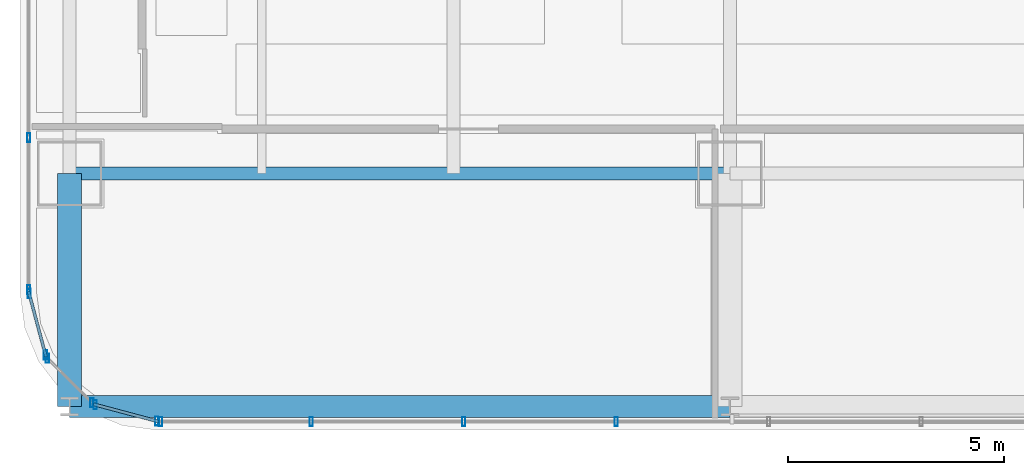
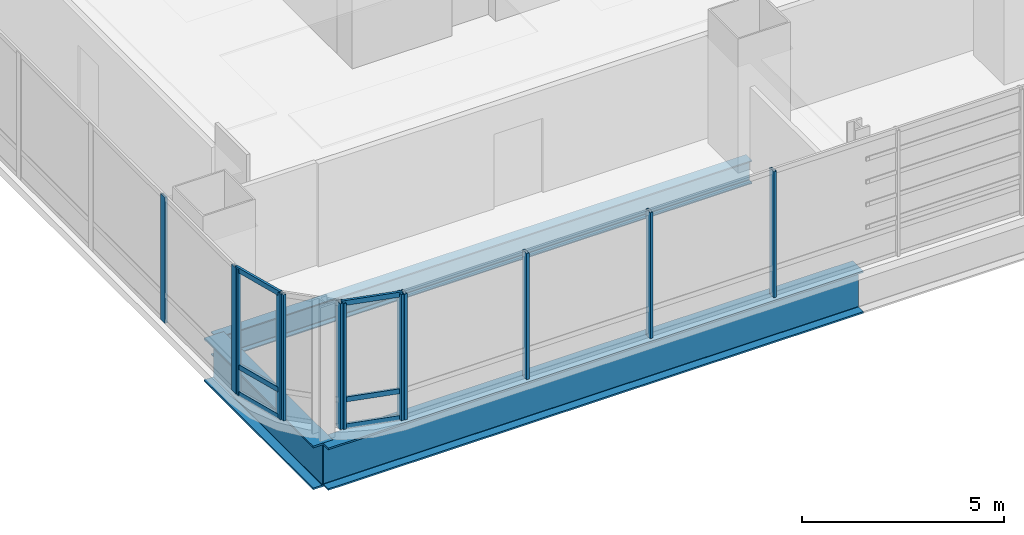
# One storey, part 2 of 35: 18 members, 3 beams, 5 elements without a shape of their own.
"""IFC4 building model written with IfcOpenShell, lengths in metres."""

from ifc_helpers import new_model, si_unit, direction, frame, origin, origin_2d, place, context, subcontext, project, spatial, hollow_rectangle, i_section, extrude, material, material_profile, profile_set, type_object, element, aggregate, save


model = new_model("IFC4")

# Units and contexts
model_context = context("Model", 3, precision=1e-05, world=origin(), true_north=direction((0.0, 1.0)))
body_context = subcontext(model_context, "Body", "Model", "MODEL_VIEW")
ifc_project = project(units=[si_unit("LENGTHUNIT", "METRE"), si_unit("AREAUNIT", "SQUARE_METRE"), si_unit("VOLUMEUNIT", "CUBIC_METRE"), si_unit("PLANEANGLEUNIT", "RADIAN"), si_unit("MASSUNIT", "GRAM", prefix="KILO")], contexts=[model_context])

# Site, building, storey
site_placement = place(None, origin())
site = spatial("IfcSite", under=ifc_project, at=site_placement, CompositionType="ELEMENT")
building_placement = place(site_placement, origin())
building = spatial("IfcBuilding", under=site, at=building_placement, Name="Punatoya Terracotta Tower", CompositionType="ELEMENT")
storey_placement = place(building_placement, frame((0.0, 0.0, 72.75)))
storey = spatial("IfcBuildingStorey", under=building, at=storey_placement, Name="L16", CompositionType="ELEMENT", Elevation=72.75)

# Beams
ifc_material_1 = material(Name="Steel S355", Category="steel")
ifc_material_profile_1 = material_profile(ifc_material_1, i_section(OverallWidth=0.300048828125, OverallDepth=0.699951171875, WebThickness=0.01708984375, FlangeThickness=0.031982421875, FilletRadius=0.01806640625, at=origin_2d()))
ifc_profile_set_1 = profile_set([ifc_material_profile_1], Name="Steel S355")
beam_type_1 = type_object("IfcBeamType", Name="BM-PRI-700", PredefinedType="BEAM", material=ifc_profile_set_1)
beam_1_placement = place(storey_placement, frame((-19.10009765625, -17.5, -0.590087890625), z_axis=(1.0, 0.0, 0.0), x_axis=(0.0, 1.0, 0.0)))
element("IfcBeam", 1, at=beam_1_placement, inside=storey, type_object=beam_type_1, Name="BM-L16-RG-S1", PredefinedType="BEAM", context=body_context, shape_type="SweptSolid", body=[
    extrude(i_section(OverallWidth=0.300048828125, OverallDepth=0.699951171875, WebThickness=0.01708984375, FlangeThickness=0.031982421875, FilletRadius=0.01806640625, at=origin_2d()), origin(), (0.0, 0.0, 1.0), 15.300048828125),
])
ifc_material_2 = material(Name="Steel S460", Category="steel")
ifc_material_profile_2 = material_profile(ifc_material_2, i_section(OverallWidth=0.56005859375, OverallDepth=1.320068359375, WebThickness=0.035888671875, FlangeThickness=0.054931640625, FilletRadius=0.01806640625, at=origin_2d()))
ifc_profile_set_2 = profile_set([ifc_material_profile_2], Name="Steel S460")
beam_type_2 = type_object("IfcBeamType", Name="BM-TG-BLK", PredefinedType="BEAM", material=ifc_profile_set_2)
beam_2_placement = place(storey_placement, frame((-19.10009765625, -22.89990234375, -0.89990234375), z_axis=(0.0, 1.0, 0.0), x_axis=(-1.0, 0.0, 0.0)))
element("IfcBeam", 2, at=beam_2_placement, inside=storey, type_object=beam_type_2, Name="BM-L16-CANT-S1", PredefinedType="BEAM", context=body_context, shape_type="SweptSolid", body=[
    extrude(i_section(OverallWidth=0.56005859375, OverallDepth=1.320068359375, WebThickness=0.035888671875, FlangeThickness=0.054931640625, FilletRadius=0.01806640625, at=origin_2d()), origin(), (0.0, 0.0, 1.0), 5.39990234375),
])
ifc_material_profile_3 = material_profile(ifc_material_2, i_section(OverallWidth=0.52001953125, OverallDepth=1.280029296875, WebThickness=0.031982421875, FlangeThickness=0.050048828125, FilletRadius=0.01806640625, at=origin_2d()))
ifc_profile_set_3 = profile_set([ifc_material_profile_3], Name="Steel S460")
beam_type_3 = type_object("IfcBeamType", Name="BM-TG-NCK", PredefinedType="BEAM", material=ifc_profile_set_3)
beam_3_placement = place(storey_placement, frame((-19.10009765625, -22.89990234375, -0.8798828125), z_axis=(1.0, 0.0, 0.0), x_axis=(0.0, 1.0, 0.0)))
element("IfcBeam", 3, at=beam_3_placement, inside=storey, type_object=beam_type_3, Name="BM-L16-PER-S1", PredefinedType="BEAM", context=body_context, shape_type="SweptSolid", body=[
    extrude(i_section(OverallWidth=0.52001953125, OverallDepth=1.280029296875, WebThickness=0.031982421875, FlangeThickness=0.050048828125, FilletRadius=0.01806640625, at=origin_2d()), origin(), (0.0, 0.0, 1.0), 15.300048828125),
])

# Curtain wall, members
ifc_material_3 = material(Name="Aluminium 6063-T6 + Double Low-E Glass", Category="aluminium")
curtain_wall_type = type_object("IfcCurtainWallType", Name="CW-M1", PredefinedType="NOTDEFINED", material=ifc_material_3)
curtain_wall_1_placement = place(storey_placement, origin())
curtain_wall_1 = element("IfcCurtainWall", 4, at=curtain_wall_1_placement, inside=storey, type_object=curtain_wall_type, Name="L16 Curtain Wall CW-L16-S01-1", PredefinedType="NOTDEFINED")
ifc_material_4 = material(Name="Aluminium 6063-T6", Category="aluminium")
ifc_material_profile_4 = material_profile(ifc_material_4, hollow_rectangle(XDim=0.074951171875, YDim=0.2099609375, WallThickness=0.00439453125, at=origin_2d()))
ifc_profile_set_4 = profile_set([ifc_material_profile_4], Name="Aluminium 6063-T6")
member_type_1 = type_object("IfcMemberType", Name="CW-MUL-M1", PredefinedType="MULLION", material=ifc_profile_set_4)
member_1_placement = place(storey_placement, frame((-16.991943359375, -23.25, 0.0), z_axis=(0.0, 0.0, 1.0), x_axis=(1.0, 0.0, 0.0)))
member_1 = element("IfcMember", 5, at=member_1_placement, type_object=member_type_1, Name="CW-L16-S01-1 Mullion 00", PredefinedType="MULLION", context=body_context, shape_type="SweptSolid", body=[
    extrude(hollow_rectangle(XDim=0.074951171875, YDim=0.2099609375, WallThickness=0.00439453125, at=origin_2d()), origin(), (0.0, 0.0, 1.0), 3.81005859375),
])
member_2_placement = place(storey_placement, frame((-13.5029296875, -23.25, 0.0), z_axis=(0.0, 0.0, 1.0), x_axis=(1.0, 0.0, 0.0)))
member_2 = element("IfcMember", 6, at=member_2_placement, type_object=member_type_1, Name="CW-L16-S01-1 Mullion 01", PredefinedType="MULLION", context=body_context, shape_type="SweptSolid", body=[
    extrude(hollow_rectangle(XDim=0.074951171875, YDim=0.2099609375, WallThickness=0.00439453125, at=origin_2d()), origin(), (0.0, 0.0, 1.0), 3.81005859375),
])
member_3_placement = place(storey_placement, frame((-9.968994140625, -23.25, 0.0), z_axis=(0.0, 0.0, 1.0), x_axis=(1.0, 0.0, 0.0)))
member_3 = element("IfcMember", 7, at=member_3_placement, type_object=member_type_1, Name="CW-L16-S01-1 Mullion 02", PredefinedType="MULLION", context=body_context, shape_type="SweptSolid", body=[
    extrude(hollow_rectangle(XDim=0.074951171875, YDim=0.2099609375, WallThickness=0.00439453125, at=origin_2d()), origin(), (0.0, 0.0, 1.0), 3.81005859375),
])
member_4_placement = place(storey_placement, frame((-6.43505859375, -23.25, 0.0), z_axis=(0.0, 0.0, 1.0), x_axis=(1.0, 0.0, 0.0)))
member_4 = element("IfcMember", 8, at=member_4_placement, type_object=member_type_1, Name="CW-L16-S01-1 Mullion 03", PredefinedType="MULLION", context=body_context, shape_type="SweptSolid", body=[
    extrude(hollow_rectangle(XDim=0.074951171875, YDim=0.2099609375, WallThickness=0.00439453125, at=origin_2d()), origin(), (0.0, 0.0, 1.0), 3.81005859375),
])
aggregate(curtain_wall_1, [member_1, member_2, member_3, member_4])

curtain_wall_2_placement = place(storey_placement, origin())
curtain_wall_2 = element("IfcCurtainWall", 9, at=curtain_wall_2_placement, inside=storey, type_object=curtain_wall_type, Name="L16 Curtain Wall CW-L16-W13-1", PredefinedType="NOTDEFINED")
member_5_placement = place(storey_placement, frame((-20.050048828125, -16.66943359375, 0.0), z_axis=(0.0, 0.0, 1.0), x_axis=(1.0, 0.0, 0.0)))
member_5 = element("IfcMember", 10, at=member_5_placement, type_object=member_type_1, Name="CW-L16-W13-1 Mullion 09", PredefinedType="MULLION", context=body_context, shape_type="SweptSolid", body=[
    extrude(hollow_rectangle(XDim=0.074951171875, YDim=0.2099609375, WallThickness=0.00439453125, at=origin_2d()), origin(), (0.0, 0.0, 1.0), 3.81005859375),
])
member_6_placement = place(storey_placement, frame((-20.050048828125, -20.19189453125, 0.0), z_axis=(0.0, 0.0, 1.0), x_axis=(1.0, 0.0, 0.0)))
member_6 = element("IfcMember", 11, at=member_6_placement, type_object=member_type_1, Name="CW-L16-W13-1 Mullion 10", PredefinedType="MULLION", context=body_context, shape_type="SweptSolid", body=[
    extrude(hollow_rectangle(XDim=0.074951171875, YDim=0.2099609375, WallThickness=0.00439453125, at=origin_2d()), origin(), (0.0, 0.0, 1.0), 3.81005859375),
])
aggregate(curtain_wall_2, [member_5, member_6])

curtain_wall_3_placement = place(storey_placement, origin())
curtain_wall_3 = element("IfcCurtainWall", 12, at=curtain_wall_3_placement, inside=storey, type_object=curtain_wall_type, Name="L16 Curtain Wall CW-L16-CRN14", PredefinedType="NOTDEFINED")
member_7_placement = place(storey_placement, frame((-20.038330078125, -20.280517578125, 0.0), z_axis=(0.0, 0.0, 1.0), x_axis=(1.0, 0.0, 0.0)))
member_7 = element("IfcMember", 13, at=member_7_placement, type_object=member_type_1, Name="CW-L16-CRN14 Mullion 00", PredefinedType="MULLION", context=body_context, shape_type="SweptSolid", body=[
    extrude(hollow_rectangle(XDim=0.074951171875, YDim=0.2099609375, WallThickness=0.00439453125, at=origin_2d()), origin(), (0.0, 0.0, 1.0), 3.81005859375),
])
member_8_placement = place(storey_placement, frame((-19.658203125, -21.70556640625, 0.0), z_axis=(0.0, 0.0, 1.0), x_axis=(1.0, 0.0, 0.0)))
member_8 = element("IfcMember", 14, at=member_8_placement, type_object=member_type_1, Name="CW-L16-CRN14 Mullion 01", PredefinedType="MULLION", context=body_context, shape_type="SweptSolid", body=[
    extrude(hollow_rectangle(XDim=0.074951171875, YDim=0.2099609375, WallThickness=0.00439453125, at=origin_2d()), origin(), (0.0, 0.0, 1.0), 3.81005859375),
])

curtain_wall_4_placement = place(storey_placement, origin())
curtain_wall_4 = element("IfcCurtainWall", 15, at=curtain_wall_4_placement, inside=storey, type_object=curtain_wall_type, Name="L16 Curtain Wall CW-L16-CRN15", PredefinedType="NOTDEFINED")
member_9_placement = place(storey_placement, frame((-19.61474609375, -21.781005859375, 0.0), z_axis=(0.0, 0.0, 1.0), x_axis=(1.0, 0.0, 0.0)))
member_9 = element("IfcMember", 16, at=member_9_placement, type_object=member_type_1, Name="CW-L16-CRN15 Mullion 00", PredefinedType="MULLION", context=body_context, shape_type="SweptSolid", body=[
    extrude(hollow_rectangle(XDim=0.074951171875, YDim=0.2099609375, WallThickness=0.00439453125, at=origin_2d()), origin(), (0.0, 0.0, 1.0), 3.81005859375),
])
member_10_placement = place(storey_placement, frame((-18.580810546875, -22.814697265625, 0.0), z_axis=(0.0, 0.0, 1.0), x_axis=(1.0, 0.0, 0.0)))
member_10 = element("IfcMember", 17, at=member_10_placement, type_object=member_type_1, Name="CW-L16-CRN15 Mullion 01", PredefinedType="MULLION", context=body_context, shape_type="SweptSolid", body=[
    extrude(hollow_rectangle(XDim=0.074951171875, YDim=0.2099609375, WallThickness=0.00439453125, at=origin_2d()), origin(), (0.0, 0.0, 1.0), 3.81005859375),
])
aggregate(curtain_wall_4, [member_9, member_10])

curtain_wall_5_placement = place(storey_placement, origin())
curtain_wall_5 = element("IfcCurtainWall", 18, at=curtain_wall_5_placement, inside=storey, type_object=curtain_wall_type, Name="L16 Curtain Wall CW-L16-CRN16", PredefinedType="NOTDEFINED")
member_11_placement = place(storey_placement, frame((-18.505615234375, -22.858154296875, 0.0), z_axis=(0.0, 0.0, 1.0), x_axis=(1.0, 0.0, 0.0)))
member_11 = element("IfcMember", 19, at=member_11_placement, type_object=member_type_1, Name="CW-L16-CRN16 Mullion 00", PredefinedType="MULLION", context=body_context, shape_type="SweptSolid", body=[
    extrude(hollow_rectangle(XDim=0.074951171875, YDim=0.2099609375, WallThickness=0.00439453125, at=origin_2d()), origin(), (0.0, 0.0, 1.0), 3.81005859375),
])
member_12_placement = place(storey_placement, frame((-17.080322265625, -23.23828125, 0.0), z_axis=(0.0, 0.0, 1.0), x_axis=(1.0, 0.0, 0.0)))
member_12 = element("IfcMember", 20, at=member_12_placement, type_object=member_type_1, Name="CW-L16-CRN16 Mullion 01", PredefinedType="MULLION", context=body_context, shape_type="SweptSolid", body=[
    extrude(hollow_rectangle(XDim=0.074951171875, YDim=0.2099609375, WallThickness=0.00439453125, at=origin_2d()), origin(), (0.0, 0.0, 1.0), 3.81005859375),
])

# Member
ifc_material_profile_5 = material_profile(ifc_material_4, hollow_rectangle(XDim=0.068115234375, YDim=0.14990234375, WallThickness=0.00390625, at=origin_2d()))
ifc_profile_set_5 = profile_set([ifc_material_profile_5], Name="Aluminium 6063-T6")
member_type_2 = type_object("IfcMemberType", Name="CW-TRN-TYP", PredefinedType="USERDEFINED", material=ifc_profile_set_5)
member_13_placement = place(storey_placement, frame((-20.050048828125, -20.23681640625, 0.0400390625), z_axis=(0.257847112249, -0.966185730957, 0.0), x_axis=(0.966185730957, 0.257847112249, 0.0)))
member_13 = element("IfcMember", 21, at=member_13_placement, type_object=member_type_2, Name="CW-L16-CRN14 Transom 1", ObjectType="TRANSOM", PredefinedType="USERDEFINED", context=body_context, shape_type="SweptSolid", body=[
    extrude(hollow_rectangle(XDim=0.068115234375, YDim=0.14990234375, WallThickness=0.00390625, at=origin_2d()), origin(), (0.0, 0.0, 1.0), 1.565185546875),
])

member_14_placement = place(storey_placement, frame((-20.050048828125, -20.23681640625, 0.85009765625), z_axis=(0.257847112249, -0.966185730957, 0.0), x_axis=(0.966185730957, 0.257847112249, 0.0)))
member_14 = element("IfcMember", 22, at=member_14_placement, type_object=member_type_2, Name="CW-L16-CRN14 Transom 2", ObjectType="TRANSOM", PredefinedType="USERDEFINED", context=body_context, shape_type="SweptSolid", body=[
    extrude(hollow_rectangle(XDim=0.068115234375, YDim=0.14990234375, WallThickness=0.00390625, at=origin_2d()), origin(), (0.0, 0.0, 1.0), 1.565185546875),
])

member_15_placement = place(storey_placement, frame((-20.050048828125, -20.23681640625, 3.77001953125), z_axis=(0.257847112249, -0.966185730957, 0.0), x_axis=(0.966185730957, 0.257847112249, 0.0)))
member_15 = element("IfcMember", 23, at=member_15_placement, type_object=member_type_2, Name="CW-L16-CRN14 Transom 3", ObjectType="TRANSOM", PredefinedType="USERDEFINED", context=body_context, shape_type="SweptSolid", body=[
    extrude(hollow_rectangle(XDim=0.068115234375, YDim=0.14990234375, WallThickness=0.00390625, at=origin_2d()), origin(), (0.0, 0.0, 1.0), 1.565185546875),
])

aggregate(curtain_wall_3, [member_7, member_8, member_13, member_14, member_15])

member_16_placement = place(storey_placement, frame((-18.549072265625, -22.8466796875, 0.0400390625), z_axis=(0.966224582397, -0.257701486942, 0.0), x_axis=(0.257701486942, 0.966224582397, 0.0)))
member_16 = element("IfcMember", 24, at=member_16_placement, type_object=member_type_2, Name="CW-L16-CRN16 Transom 1", ObjectType="TRANSOM", PredefinedType="USERDEFINED", context=body_context, shape_type="SweptSolid", body=[
    extrude(hollow_rectangle(XDim=0.068115234375, YDim=0.14990234375, WallThickness=0.00390625, at=origin_2d()), origin(), (0.0, 0.0, 1.0), 1.565185546875),
])

member_17_placement = place(storey_placement, frame((-18.549072265625, -22.8466796875, 0.85009765625), z_axis=(0.966224582397, -0.257701486942, 0.0), x_axis=(0.257701486942, 0.966224582397, 0.0)))
member_17 = element("IfcMember", 25, at=member_17_placement, type_object=member_type_2, Name="CW-L16-CRN16 Transom 2", ObjectType="TRANSOM", PredefinedType="USERDEFINED", context=body_context, shape_type="SweptSolid", body=[
    extrude(hollow_rectangle(XDim=0.068115234375, YDim=0.14990234375, WallThickness=0.00390625, at=origin_2d()), origin(), (0.0, 0.0, 1.0), 1.565185546875),
])

member_18_placement = place(storey_placement, frame((-18.549072265625, -22.8466796875, 3.77001953125), z_axis=(0.966224582397, -0.257701486942, 0.0), x_axis=(0.257701486942, 0.966224582397, 0.0)))
member_18 = element("IfcMember", 26, at=member_18_placement, type_object=member_type_2, Name="CW-L16-CRN16 Transom 3", ObjectType="TRANSOM", PredefinedType="USERDEFINED", context=body_context, shape_type="SweptSolid", body=[
    extrude(hollow_rectangle(XDim=0.068115234375, YDim=0.14990234375, WallThickness=0.00390625, at=origin_2d()), origin(), (0.0, 0.0, 1.0), 1.565185546875),
])

aggregate(curtain_wall_5, [member_11, member_12, member_16, member_17, member_18])

save(model, "model.ifc")
